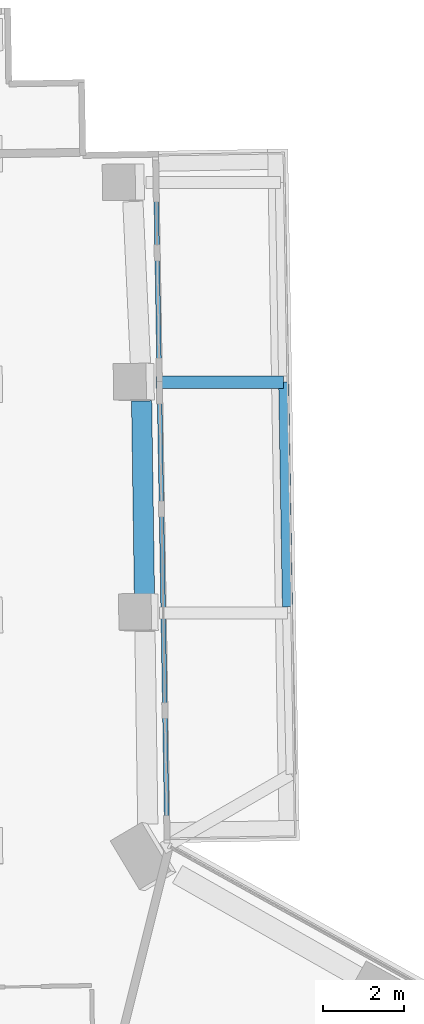
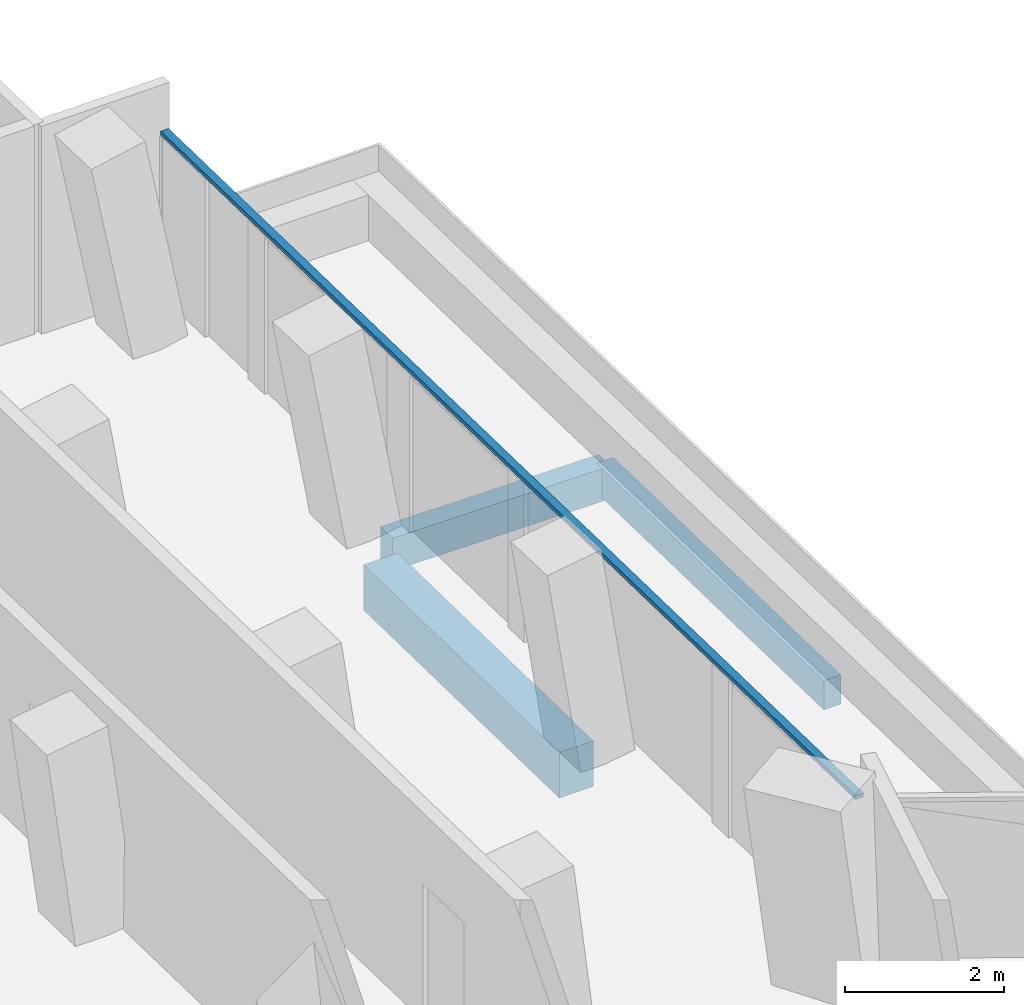
# One storey, part 10 of 25: 3 beams, 1 member, 1 element without a shape of its own.
"""IFC4 building model written with IfcOpenShell, lengths in metres."""

from ifc_helpers import new_model, si_unit, direction, frame, origin, origin_2d, place, context, subcontext, project, spatial, rectangle, extrude, material, layer, layer_set, material_profile, profile_set, type_object, element, aggregate, save


model = new_model("IFC4")

# Units and contexts
model_context = context("Model", 3, precision=1e-05, world=origin(), true_north=direction((0.0, 1.0)))
body_context = subcontext(model_context, "Body", "Model", "MODEL_VIEW")
ifc_project = project(units=[si_unit("LENGTHUNIT", "METRE"), si_unit("AREAUNIT", "SQUARE_METRE"), si_unit("VOLUMEUNIT", "CUBIC_METRE"), si_unit("PLANEANGLEUNIT", "RADIAN"), si_unit("MASSUNIT", "GRAM", prefix="KILO")], contexts=[model_context])

# Site, building, storey
site_placement = place(None, origin())
site = spatial("IfcSite", under=ifc_project, at=site_placement, CompositionType="ELEMENT")
building_placement = place(site_placement, origin())
building = spatial("IfcBuilding", under=site, at=building_placement, Name="Verdalira Terraces Hotel", CompositionType="ELEMENT")
storey_placement = place(building_placement, frame((0.0, 0.0, 39.0)))
storey = spatial("IfcBuildingStorey", under=building, at=storey_placement, Name="L07", CompositionType="ELEMENT", Elevation=39.0)

# Beams
ifc_material_1 = material(Name="Concrete C40", Category="concrete")
ifc_material_profile_1 = material_profile(ifc_material_1, rectangle(XDim=0.300049, YDim=0.5, at=origin_2d()), Name="RC 300X500")
ifc_profile_set_1 = profile_set([ifc_material_profile_1], Name="Concrete C40")
beam_type_1 = type_object("IfcBeamType", Name="Balcony cantilever beam RC 300X500 C40", PredefinedType="BEAM", material=ifc_profile_set_1)
beam_1_placement = place(storey_placement, frame((5.73877, 35.758789, -0.560059), z_axis=(1.0, 0.0, 0.0), x_axis=(0.0, 1.0, 0.0)))
element("IfcBeam", 1, at=beam_1_placement, inside=storey, type_object=beam_type_1, Name="Balcony cantilever beam R00-3", PredefinedType="BEAM", context=body_context, shape_type="SweptSolid", body=[
    extrude(rectangle(XDim=0.300049, YDim=0.5, at=origin_2d()), origin(), (0.0, 0.0, 1.0), 3.16333),
])
ifc_material_2 = material(Name="Concrete C40", Category="concrete")
ifc_material_profile_2 = material_profile(ifc_material_2, rectangle(XDim=0.25, YDim=0.449951, at=origin_2d()), Name="RC 250X450")
ifc_profile_set_2 = profile_set([ifc_material_profile_2], Name="Concrete C40")
beam_type_2 = type_object("IfcBeamType", Name="Balcony edge beam RC 250X450 C40", PredefinedType="BEAM", material=ifc_profile_set_2)
beam_2_placement = place(storey_placement, frame((8.995361, 30.203369, -0.534912), z_axis=(-0.016785154, 0.999859119, 0.0), x_axis=(-0.999859119, -0.016785154, 0.0)))
element("IfcBeam", 2, at=beam_2_placement, inside=storey, type_object=beam_type_2, Name="Balcony edge beam R00-2", PredefinedType="BEAM", context=body_context, shape_type="SweptSolid", body=[
    extrude(rectangle(XDim=0.25, YDim=0.449951, at=origin_2d()), origin(), (0.0, 0.0, 1.0), 5.556152),
])

# Curtain wall, member
ifc_material_3 = material(Name="Clear glass", Category="glass")
ifc_layer = layer(ifc_material_3, 0.14990234375)
ifc_layer_set = layer_set([ifc_layer], Name="CW2 curtain wall")
curtain_wall_type = type_object("IfcCurtainWallType", Name="CW2 curtain wall", PredefinedType="NOTDEFINED", material=ifc_layer_set)
curtain_wall_placement = place(storey_placement, origin())
curtain_wall = element("IfcCurtainWall", 3, at=curtain_wall_placement, inside=storey, type_object=curtain_wall_type, Name="CW2 curtain wall L07 edge 0", PredefinedType="NOTDEFINED")
ifc_material_4 = material(Name="Terracotta frame", Category="masonry")
ifc_material_profile_3 = material_profile(ifc_material_4, rectangle(XDim=0.11499, YDim=0.064941, at=origin_2d()), Name="TR 65x115")
ifc_profile_set_3 = profile_set([ifc_material_profile_3], Name="Terracotta frame")
member_type = type_object("IfcMemberType", Name="CW2 transom 65x115", PredefinedType="USERDEFINED", material=ifc_profile_set_3)
member_placement = place(storey_placement, frame((6.017578, 24.362549, 2.45752), z_axis=(-0.016748985, 0.999859726, 0.0), x_axis=(-0.999859726, -0.016748985, 0.0)))
member = element("IfcMember", 4, at=member_placement, type_object=member_type, Name="CW2 transom", ObjectType="TRANSOM", PredefinedType="USERDEFINED", context=body_context, shape_type="SweptSolid", body=[
    extrude(rectangle(XDim=0.11499, YDim=0.064941, at=origin_2d()), origin(), (0.0, 0.0, 1.0), 16.967041),
])
aggregate(curtain_wall, [member])

# Beam
ifc_material_5 = material(Name="Concrete C70", Category="concrete")
ifc_material_profile_4 = material_profile(ifc_material_5, rectangle(XDim=0.5, YDim=0.699951, at=origin_2d()), Name="RC 500X700")
ifc_profile_set_4 = profile_set([ifc_material_profile_4], Name="Concrete C70")
beam_type_3 = type_object("IfcBeamType", Name="Spandrel beam RC 500X700 C70", PredefinedType="SPANDREL", material=ifc_profile_set_4)
beam_3_placement = place(storey_placement, frame((5.456787, 30.50293, -0.659912), z_axis=(-0.014510413, 0.999894718, 0.0), x_axis=(-0.999894718, -0.014510413, 0.0)))
element("IfcBeam", 5, at=beam_3_placement, inside=storey, type_object=beam_type_3, Name="Spandrel beam B02", PredefinedType="SPANDREL", context=body_context, shape_type="SweptSolid", body=[
    extrude(rectangle(XDim=0.5, YDim=0.699951, at=origin_2d()), origin(), (0.0, 0.0, 1.0), 4.795166),
])

save(model, "model.ifc")
